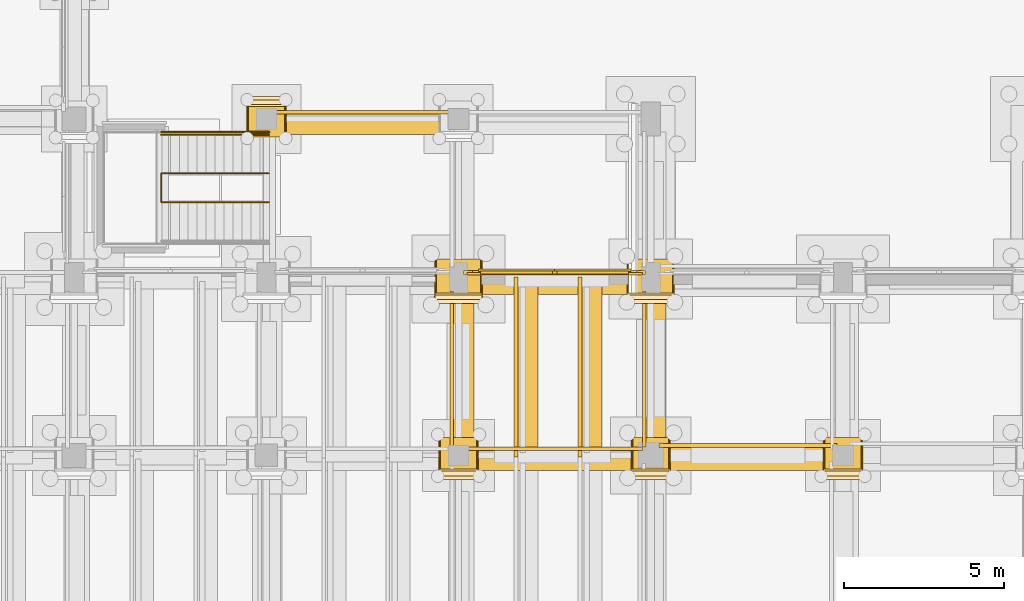
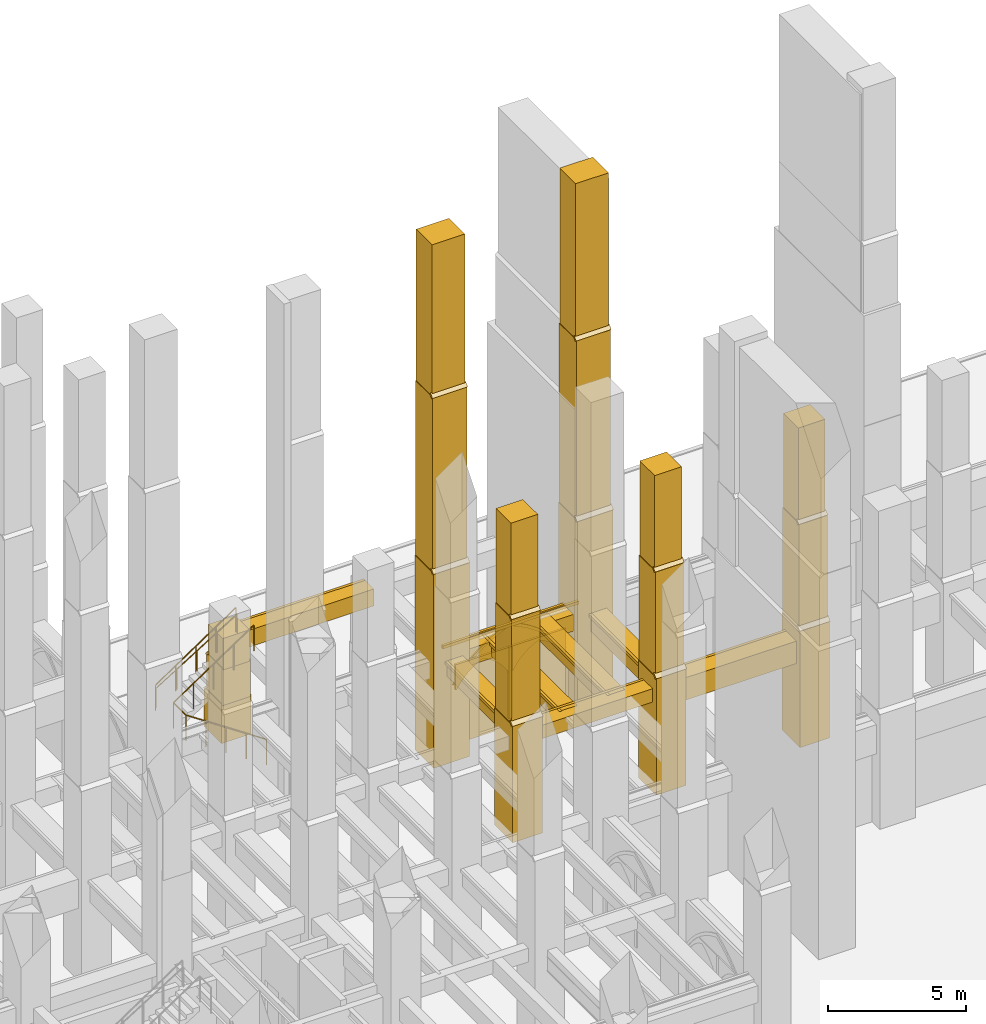
# One storey, part 114 of 135: 52 coverings, 3 railings.
"""IFC4 building model written with IfcOpenShell, lengths in metres."""

import ifcopenshell
import ifcopenshell.guid

model = None  # the IFC model being written
_history = None  # IfcOwnerHistory: only IFC2X3 demands one
_inside = {}  # id of a spatial element -> (the spatial element, [elements in it])
_under = {}  # id of a project, library or spatial element -> (it, [spatial elements below it])
_declared = {}  # id of a project -> (the project, [libraries it declares])
_typed = {}  # id of a type object -> (the type object, [elements of that type])
_made_of = {}  # id of a material, layer set ... -> (it, [elements and type objects made of it])


def new_model(schema):
    """Start an empty IFC model of exactly this schema.

    Asked for "IFC4X3", IfcOpenShell would pick the latest addendum, in which some entities
    have other attributes; the version numbers below select the first issue.
    IFC2X3 requires an IfcOwnerHistory on every rooted entity: one is made here for all.
    """
    global model, _history
    if schema == "IFC4X3":
        model = ifcopenshell.file(schema_version=(4, 3, 0, 0))
    else:
        model = ifcopenshell.file(schema=schema)
    _inside.clear()
    _under.clear()
    _declared.clear()
    _typed.clear()
    _made_of.clear()
    _history = None
    if model.schema == "IFC2X3":
        org = make("IfcOrganization", Name="unknown")
        user = make(
            "IfcPersonAndOrganization",
            ThePerson=make("IfcPerson", FamilyName="unknown"),
            TheOrganization=org,
        )
        app = make(
            "IfcApplication",
            ApplicationDeveloper=org,
            Version="unknown",
            ApplicationFullName="unknown",
            ApplicationIdentifier="unknown",
        )
        _history = make(
            "IfcOwnerHistory",
            OwningUser=user,
            OwningApplication=app,
            ChangeAction="ADDED",
            CreationDate=0,
        )
    return model


def make(cls, **values):
    """One entity of the class cls with the attributes given. An attribute that is None is left unset."""
    return model.create_entity(
        cls, **{name: value for name, value in values.items() if value is not None}
    )


def rooted(cls, **values):
    """An entity with a GlobalId (a new one), such as an element, a storey or a relation."""
    return make(cls, GlobalId=ifcopenshell.guid.new(), OwnerHistory=_history, **values)


def si_unit(unit_type, name, prefix=None):
    """IfcSIUnit, for example si_unit("LENGTHUNIT", "METRE", prefix="MILLI")."""
    return make("IfcSIUnit", UnitType=unit_type, Prefix=prefix, Name=name)


def assignment(units):
    """IfcUnitAssignment: the units of a project."""
    return None if units is None else make("IfcUnitAssignment", Units=units)


def point(xyz):
    """IfcCartesianPoint."""
    return None if xyz is None else make("IfcCartesianPoint", Coordinates=xyz)


def direction(xyz):
    """IfcDirection."""
    return None if xyz is None else make("IfcDirection", DirectionRatios=xyz)


def frame(location, z_axis=None, x_axis=None):
    """IfcAxis2Placement3D, a coordinate frame: its origin and axes. An axis left out is left unset."""
    return make(
        "IfcAxis2Placement3D",
        Location=point(location),
        Axis=direction(z_axis),
        RefDirection=direction(x_axis),
    )


def frame_2d(location, x_axis=None):
    """IfcAxis2Placement2D, a coordinate frame in the plane: its origin and x axis."""
    return make(
        "IfcAxis2Placement2D", Location=point(location), RefDirection=direction(x_axis)
    )


def origin():
    """The frame at (0, 0, 0) with its axes left unset."""
    return frame((0.0, 0.0, 0.0))


def origin_2d():
    """The frame at (0, 0) in the plane with its x axis left unset."""
    return frame_2d((0.0, 0.0))


def place(relative_to, where):
    """IfcLocalPlacement: puts the frame where relative to a parent placement (None: the world)."""
    return make(
        "IfcLocalPlacement", PlacementRelTo=relative_to, RelativePlacement=where
    )


def context(
    kind, dimensions, precision=None, world=None, true_north=None, identifier=None
):
    """IfcGeometricRepresentationContext, for example the 3D "Model" context."""
    return make(
        "IfcGeometricRepresentationContext",
        ContextIdentifier=identifier,
        ContextType=kind,
        CoordinateSpaceDimension=dimensions,
        Precision=precision,
        WorldCoordinateSystem=world,
        TrueNorth=true_north,
    )


def subcontext(parent, identifier, kind, view, scale=None):
    """IfcGeometricRepresentationSubContext, for example "Body" below "Model"."""
    return make(
        "IfcGeometricRepresentationSubContext",
        ContextIdentifier=identifier,
        ContextType=kind,
        ParentContext=parent,
        TargetScale=scale,
        TargetView=view,
    )


def project(units=None, contexts=None):
    """IfcProject with its units and contexts."""
    return rooted(
        "IfcProject",
        Name="project",
        RepresentationContexts=contexts,
        UnitsInContext=assignment(units),
    )


def spatial(cls, under=None, at=None, **own):
    """A site, building, storey or space (cls), placed at a placement, below another one or the project."""
    s = rooted(cls, ObjectPlacement=at, **own)
    if under is not None:
        _under.setdefault(under.id(), (under, []))[1].append(s)
    return s


def polyline(points):
    """IfcPolyline through the points."""
    return make("IfcPolyline", Points=[point(p) for p in points])


def profile(cls, at=None, kind="AREA", **sizes):
    """A parametric profile (cls). Its sizes go by their IFC names, for example OverallWidth=200.0."""
    return make(cls, ProfileType=kind, Position=at, **sizes)


def rectangle(**sizes):
    """IfcRectangleProfileDef."""
    return profile("IfcRectangleProfileDef", **sizes)


def circle(**sizes):
    """IfcCircleProfileDef."""
    return profile("IfcCircleProfileDef", **sizes)


def outline(outer, holes=None, kind="AREA"):
    """IfcArbitraryClosedProfileDef: a profile drawn as a closed curve; with holes, ...WithVoids."""
    if holes is None:
        return make("IfcArbitraryClosedProfileDef", ProfileType=kind, OuterCurve=outer)
    return make(
        "IfcArbitraryProfileDefWithVoids",
        ProfileType=kind,
        OuterCurve=outer,
        InnerCurves=holes,
    )


def extrude(swept, where, along, depth):
    """IfcExtrudedAreaSolid: the profile swept, set in the frame where, extruded along a direction by depth."""
    return make(
        "IfcExtrudedAreaSolid",
        SweptArea=swept,
        Position=where,
        ExtrudedDirection=direction(along),
        Depth=depth,
    )


def shape(context_of_items, identifier, shape_type, items):
    """IfcShapeRepresentation: the items that make up one representation, for example the "Body"."""
    return make(
        "IfcShapeRepresentation",
        ContextOfItems=context_of_items,
        RepresentationIdentifier=identifier,
        RepresentationType=shape_type,
        Items=items,
    )


def material(Name=None, Category=None):
    """IfcMaterial."""
    return make("IfcMaterial", Name=Name, Category=Category)


def made_of(thing, what):
    """Note that an element or type object is made of a material, layer set ...; save() writes the relation."""
    if what is not None:
        _made_of.setdefault(what.id(), (what, []))[1].append(thing)
    return thing


def type_object(cls, material=None, **own):
    """A type object (cls), such as IfcWallType, which elements share."""
    return made_of(rooted(cls, **own), material)


def element(
    cls,
    number,
    at=None,
    inside=None,
    cuts=None,
    type_object=None,
    material=None,
    context=None,
    identifier="Body",
    shape_type=None,
    held_by="IfcProductDefinitionShape",
    body=None,
    shapes=None,
    **own,
):
    """One element of the class cls, such as IfcWall. Its Tag is "e" and its number.

    at: its placement. inside: the storey or other place that contains it. cuts: it is an
    opening in that element (IfcRelVoidsElement). A single representation is given by context,
    identifier, shape_type and body (its items); several are given by shapes. held_by: the class
    of the entity that holds the representations. save() writes the other relations.
    """
    e = rooted(cls, Tag="e%d" % number, ObjectPlacement=at, **own)
    if body is not None:
        shapes = [shape(context, identifier, shape_type, body)]
    if shapes is not None:
        e.Representation = make(held_by, Representations=shapes)
    if inside is not None:
        _inside.setdefault(inside.id(), (inside, []))[1].append(e)
    if cuts is not None:
        rooted(
            "IfcRelVoidsElement", RelatingBuildingElement=cuts, RelatedOpeningElement=e
        )
    if type_object is not None:
        _typed.setdefault(type_object.id(), (type_object, []))[1].append(e)
    return made_of(e, material)


def aggregate(whole, parts):
    """IfcRelAggregates: a whole, such as a stair, and the parts it consists of."""
    return rooted("IfcRelAggregates", RelatingObject=whole, RelatedObjects=parts)


def save(model, path):
    """Write the relations noted so far, then the file.

    IfcRelAggregates (storeys below a building ...), IfcRelContainedInSpatialStructure (elements
    in a storey), IfcRelDefinesByType, IfcRelAssociatesMaterial and IfcRelDeclares: one each for
    every whole, place, type object, material and project.
    """
    for whole, parts in _under.values():
        aggregate(whole, parts)
    for where, things in _inside.values():
        rooted(
            "IfcRelContainedInSpatialStructure",
            RelatedElements=things,
            RelatingStructure=where,
        )
    for kind, things in _typed.values():
        rooted("IfcRelDefinesByType", RelatedObjects=things, RelatingType=kind)
    for what, things in _made_of.values():
        rooted("IfcRelAssociatesMaterial", RelatedObjects=things, RelatingMaterial=what)
    for by, libraries in _declared.values():
        rooted("IfcRelDeclares", RelatingContext=by, RelatedDefinitions=libraries)
    model.write(path)


model = new_model("IFC4")

# Units and contexts
model_context = context("Model", 3, precision=1e-05, world=origin(), true_north=direction((0.0, 1.0)))
body_context = subcontext(model_context, "Body", "Model", "MODEL_VIEW")
ifc_project = project(units=[si_unit("LENGTHUNIT", "METRE"), si_unit("AREAUNIT", "SQUARE_METRE"), si_unit("VOLUMEUNIT", "CUBIC_METRE"), si_unit("PLANEANGLEUNIT", "RADIAN"), si_unit("MASSUNIT", "GRAM", prefix="KILO")], contexts=[model_context])

# Site, building, storey
site_placement = place(None, origin())
site = spatial("IfcSite", under=ifc_project, at=site_placement, CompositionType="ELEMENT")
building_placement = place(site_placement, origin())
building = spatial("IfcBuilding", under=site, at=building_placement, Name="Cumevento Cable Car Station", CompositionType="ELEMENT")
storey_placement = place(building_placement, origin())
storey = spatial("IfcBuildingStorey", under=building, at=storey_placement, Name="L01", CompositionType="ELEMENT", Elevation=0.0)

# Railings
ifc_material_1 = material(Name="Painted Galvanised Architectural Steel", Category="steel")
railing_type_1 = type_object("IfcRailingType", Name="Stair Guardrail GR-S115", PredefinedType="GUARDRAIL", material=ifc_material_1)
railing_1_placement = place(storey_placement, frame((76.080078125, 58.89990234375, 0.0)))
element("IfcRailing", 1, at=railing_1_placement, inside=storey, type_object=railing_type_1, Name="Stair Well Inner Guardrail ST-17", PredefinedType="GUARDRAIL", context=body_context, shape_type="SweptSolid", body=[
    extrude(circle(Radius=0.02392578125, at=origin_2d()), frame((0.0, 0.0, 1.1259765625), z_axis=(-0.830915400975, 0.0, 0.556398774641), x_axis=(0.0, -1.0, 0.0)), (0.0, 0.0, 1.0), 4.0439453125),
    extrude(circle(Radius=0.02392578125, at=origin_2d()), frame((-3.360107421875, 0.0, 3.3759765625), z_axis=(0.0, 1.0, 0.0), x_axis=(-1.0, 0.0, 0.0)), (0.0, 0.0, 1.0), 0.900146484375),
    extrude(circle(Radius=0.02392578125, at=origin_2d()), frame((-3.360107421875, 0.900146484375, 3.3759765625), z_axis=(0.830915400975, 0.0, 0.556398774641), x_axis=(0.0, 1.0, 0.0)), (0.0, 0.0, 1.0), 4.0439453125),
    extrude(circle(Radius=0.02001953125, at=origin_2d()), origin(), (0.0, 0.0, 1.0), 1.101806640625),
    extrude(circle(Radius=0.02001953125, at=origin_2d()), frame((-0.840087890625, 0.0, 0.5625)), (0.0, 0.0, 1.0), 1.101806640625),
    extrude(circle(Radius=0.02001953125, at=origin_2d()), frame((-1.68017578125, 0.0, 1.125)), (0.0, 0.0, 1.0), 1.101806640625),
    extrude(circle(Radius=0.02001953125, at=origin_2d()), frame((-2.52001953125, 0.0, 1.6875)), (0.0, 0.0, 1.0), 1.101806640625),
    extrude(circle(Radius=0.02001953125, at=origin_2d()), frame((-3.360107421875, 0.0, 2.25)), (0.0, 0.0, 1.0), 1.101806640625),
    extrude(circle(Radius=0.02001953125, at=origin_2d()), frame((-3.360107421875, 0.900146484375, 2.25)), (0.0, 0.0, 1.0), 1.101806640625),
    extrude(circle(Radius=0.02001953125, at=origin_2d()), frame((-2.52001953125, 0.900146484375, 2.8125)), (0.0, 0.0, 1.0), 1.101806640625),
    extrude(circle(Radius=0.02001953125, at=origin_2d()), frame((-1.68017578125, 0.900146484375, 3.375)), (0.0, 0.0, 1.0), 1.101806640625),
    extrude(circle(Radius=0.02001953125, at=origin_2d()), frame((-0.840087890625, 0.900146484375, 3.9375)), (0.0, 0.0, 1.0), 1.101806640625),
    extrude(circle(Radius=0.02001953125, at=origin_2d()), frame((0.0, 0.900146484375, 4.5)), (0.0, 0.0, 1.0), 1.101806640625),
])
railing_2_placement = place(storey_placement, frame((72.719970703125, 61.090087890625, 2.25)))
element("IfcRailing", 2, at=railing_2_placement, inside=storey, type_object=railing_type_1, Name="Stair Outer Guardrail ST-17 F2", PredefinedType="GUARDRAIL", context=body_context, shape_type="SweptSolid", body=[
    extrude(circle(Radius=0.02392578125, at=origin_2d()), frame((0.0, 0.0, 1.1259765625), z_axis=(0.830915400975, 0.0, 0.556398774641), x_axis=(0.0, 1.0, 0.0)), (0.0, 0.0, 1.0), 4.0439453125),
    extrude(circle(Radius=0.02001953125, at=origin_2d()), origin(), (0.0, 0.0, 1.0), 1.101806640625),
    extrude(circle(Radius=0.02001953125, at=origin_2d()), frame((0.840087890625, 0.0, 0.5625)), (0.0, 0.0, 1.0), 1.101806640625),
    extrude(circle(Radius=0.02001953125, at=origin_2d()), frame((1.68017578125, 0.0, 1.125)), (0.0, 0.0, 1.0), 1.101806640625),
    extrude(circle(Radius=0.02001953125, at=origin_2d()), frame((2.52001953125, 0.0, 1.6875)), (0.0, 0.0, 1.0), 1.101806640625),
    extrude(circle(Radius=0.02001953125, at=origin_2d()), frame((3.360107421875, 0.0, 2.25)), (0.0, 0.0, 1.0), 1.101806640625),
])
ifc_material_2 = material(Name="Brushed Stainless Steel Handrail Tube", Category="steel")
railing_type_2 = type_object("IfcRailingType", Name="Stair Handrail HR-090", PredefinedType="HANDRAIL", material=ifc_material_2)
railing_3_placement = place(storey_placement, frame((72.719970703125, 61.010009765625, 2.42626953125)))
element("IfcRailing", 3, at=railing_3_placement, inside=storey, type_object=railing_type_2, Name="Stair Pitch Handrail ST-17 F2", PredefinedType="HANDRAIL", context=body_context, shape_type="SweptSolid", body=[
    extrude(circle(Radius=0.02099609375, at=origin_2d()), frame((0.0, 0.0, 0.87890625), z_axis=(0.850623216509, 0.0, 0.525775754039), x_axis=(0.0, 1.0, 0.0)), (0.0, 0.0, 1.0), 3.9501953125),
    extrude(circle(Radius=0.01611328125, at=origin_2d()), origin(), (0.0, 0.0, 1.0), 0.85791015625),
    extrude(circle(Radius=0.01611328125, at=origin_2d()), frame((0.840087890625, 0.0, 0.519287109375)), (0.0, 0.0, 1.0), 0.85791015625),
    extrude(circle(Radius=0.01611328125, at=origin_2d()), frame((1.68017578125, 0.0, 1.03857421875)), (0.0, 0.0, 1.0), 0.85791015625),
    extrude(circle(Radius=0.01611328125, at=origin_2d()), frame((2.52001953125, 0.0, 1.5576171875)), (0.0, 0.0, 1.0), 0.85791015625),
    extrude(circle(Radius=0.01611328125, at=origin_2d()), frame((3.360107421875, 0.0, 2.076904296875)), (0.0, 0.0, 1.0), 0.85791015625),
])

# Coverings
ifc_material_3 = material(Name="Gnaisse Facoidal Stone Ashlar 85 MPa", Category="masonry")
covering_type = type_object("IfcCoveringType", Name="Gnaisse Ashlar Cladding CV-CL01", PredefinedType="CLADDING", material=ifc_material_3)
covering_1_placement = place(storey_placement, frame((76.0, 61.56005859375, -0.06005859375), z_axis=(0.0, 0.0, 1.0), x_axis=(-1.0, 0.0, 0.0)))
element("IfcCovering", 4, at=covering_1_placement, inside=storey, type_object=covering_type, Name="Stepped Gothic Stone Buttress Tier 1 bt:76.0:61.5", PredefinedType="CLADDING", context=body_context, shape_type="SweptSolid", body=[
    extrude(rectangle(XDim=1.239990234375, YDim=1.239990234375, at=origin_2d()), origin(), (0.0, 0.0, 1.0), 1.755615234375),
])
covering_2_placement = place(storey_placement, frame((76.639892578125, 62.199951171875, 1.675537109375), z_axis=(0.0, 0.714474823669, 0.699661151089), x_axis=(-1.0, 0.0, 0.0)))
element("IfcCovering", 5, at=covering_2_placement, inside=storey, type_object=covering_type, Name="Gothic Buttress Sloped Stone Weathering 1 bt:76.0:61.5", PredefinedType="CLADDING", context=body_context, shape_type="SweptSolid", body=[
    extrude(outline(polyline([(0.0, 0.0), (1.27978515625, 0.0), (1.27978515625, 0.21424991728737658), (0.0, 0.21424991728737658), (0.0, 0.0)])), origin(), (0.0, 0.0, -1.0), 0.090087890625),
])
covering_3_placement = place(storey_placement, frame((76.0, 61.510009765625, 1.603271484375), z_axis=(0.0, 0.0, 1.0), x_axis=(-1.0, 0.0, 0.0)))
element("IfcCovering", 6, at=covering_3_placement, inside=storey, type_object=covering_type, Name="Stepped Gothic Stone Buttress Tier 2 bt:76.0:61.5", PredefinedType="CLADDING", context=body_context, shape_type="SweptSolid", body=[
    extrude(rectangle(XDim=1.179931640625, YDim=1.139892578125, at=origin_2d()), origin(), (0.0, 0.0, 1.0), 1.6630859375),
])
covering_4_placement = place(storey_placement, frame((76.610107421875, 62.10009765625, 3.246337890625), z_axis=(0.0, 0.715574205881, 0.698536724788), x_axis=(-1.0, 0.0, 0.0)))
element("IfcCovering", 7, at=covering_4_placement, inside=storey, type_object=covering_type, Name="Gothic Buttress Sloped Stone Weathering 2 bt:76.0:61.5", PredefinedType="CLADDING", context=body_context, shape_type="SweptSolid", body=[
    extrude(outline(polyline([(0.0, 0.0), (1.22021484375, 0.0), (1.22021484375, 0.2006146760464928), (0.0, 0.2006146760464928), (0.0, 0.0)])), origin(), (0.0, 0.0, -1.0), 0.090087890625),
])
covering_5_placement = place(storey_placement, frame((76.0, 61.465087890625, 3.173828125), z_axis=(0.0, 0.0, 1.0), x_axis=(-1.0, 0.0, 0.0)))
element("IfcCovering", 8, at=covering_5_placement, inside=storey, type_object=covering_type, Name="Stepped Gothic Stone Buttress Tier 3 bt:76.0:61.5", PredefinedType="CLADDING", context=body_context, shape_type="SweptSolid", body=[
    extrude(rectangle(XDim=1.1201171875, YDim=1.050048828125, at=origin_2d()), origin(), (0.0, 0.0, 1.0), 1.385986328125),
])
covering_6_placement = place(storey_placement, frame((82.0, 50.909912109375, -0.06005859375), z_axis=(0.0, 0.0, 1.0), x_axis=(1.0, 0.0, 0.0)))
element("IfcCovering", 9, at=covering_6_placement, inside=storey, type_object=covering_type, Name="Stepped Gothic Stone Buttress Tier 1 bt:82.0:51.0", PredefinedType="CLADDING", context=body_context, shape_type="SweptSolid", body=[
    extrude(rectangle(XDim=1.239990234375, YDim=1.300048828125, at=origin_2d()), origin(), (0.0, 0.0, 1.0), 5.175537109375),
])
covering_7_placement = place(storey_placement, frame((81.360107421875, 50.239990234375, 5.095703125), z_axis=(0.0, -0.711135781079, 0.703054692658), x_axis=(1.0, 0.0, 0.0)))
element("IfcCovering", 10, at=covering_7_placement, inside=storey, type_object=covering_type, Name="Gothic Buttress Sloped Stone Weathering 1 bt:82.0:51.0", PredefinedType="CLADDING", context=body_context, shape_type="SweptSolid", body=[
    extrude(outline(polyline([(0.0, 0.0), (1.27978515625, 0.0), (1.27978515625, 0.24169083397703695), (0.0, 0.24169083397703695), (0.0, 0.0)])), origin(), (0.0, 0.0, -1.0), 0.090087890625),
])
covering_8_placement = place(storey_placement, frame((82.0, 50.969970703125, 4.84326171875), z_axis=(0.0, 0.0, 1.0), x_axis=(1.0, 0.0, 0.0)))
element("IfcCovering", 11, at=covering_8_placement, inside=storey, type_object=covering_type, Name="Stepped Gothic Stone Buttress Tier 2 bt:82.0:51.0", PredefinedType="CLADDING", context=body_context, shape_type="SweptSolid", body=[
    extrude(rectangle(XDim=1.179931640625, YDim=1.179931640625, at=origin_2d()), origin(), (0.0, 0.0, 1.0), 4.9033203125),
])
covering_9_placement = place(storey_placement, frame((81.389892578125, 50.360107421875, 9.726318359375), z_axis=(0.0, -0.714474823669, 0.699661151089), x_axis=(1.0, 0.0, 0.0)))
element("IfcCovering", 12, at=covering_9_placement, inside=storey, type_object=covering_type, Name="Gothic Buttress Sloped Stone Weathering 2 bt:82.0:51.0", PredefinedType="CLADDING", context=body_context, shape_type="SweptSolid", body=[
    extrude(outline(polyline([(0.0, 0.0), (1.22021484375, 0.0), (1.22021484375, 0.21424991728737655), (0.0, 0.21424991728737655), (0.0, 0.0)])), origin(), (0.0, 0.0, -1.0), 0.090087890625),
])
covering_10_placement = place(storey_placement, frame((82.0, 51.02001953125, 9.47412109375), z_axis=(0.0, 0.0, 1.0), x_axis=(1.0, 0.0, 0.0)))
element("IfcCovering", 13, at=covering_10_placement, inside=storey, type_object=covering_type, Name="Stepped Gothic Stone Buttress Tier 3 bt:82.0:51.0", PredefinedType="CLADDING", context=body_context, shape_type="SweptSolid", body=[
    extrude(rectangle(XDim=1.1201171875, YDim=1.080078125, at=origin_2d()), origin(), (0.0, 0.0, 1.0), 4.426025390625),
])
covering_11_placement = place(storey_placement, frame((82.0, 56.4423828125, -0.06005859375), z_axis=(0.0, 0.0, 1.0), x_axis=(1.0, 0.0, 0.0)))
element("IfcCovering", 14, at=covering_11_placement, inside=storey, type_object=covering_type, Name="Stepped Gothic Stone Buttress Tier 1 bt:82.0:56.5", PredefinedType="CLADDING", context=body_context, shape_type="SweptSolid", body=[
    extrude(rectangle(XDim=1.489990234375, YDim=1.364990234375, at=origin_2d()), origin(), (0.0, 0.0, 1.0), 8.595703125),
])
covering_12_placement = place(storey_placement, frame((81.235107421875, 55.739990234375, 8.515625), z_axis=(0.0, -0.711135781079, 0.703054692658), x_axis=(1.0, 0.0, 0.0)))
element("IfcCovering", 15, at=covering_12_placement, inside=storey, type_object=covering_type, Name="Gothic Buttress Sloped Stone Weathering 1 bt:82.0:56.5", PredefinedType="CLADDING", context=body_context, shape_type="SweptSolid", body=[
    extrude(outline(polyline([(0.0, 0.0), (1.52978515625, 0.0), (1.52978515625, 0.24169083397703695), (0.0, 0.24169083397703695), (0.0, 0.0)])), origin(), (0.0, 0.0, -1.0), 0.090087890625),
])
covering_13_placement = place(storey_placement, frame((82.0, 56.50244140625, 8.0830078125), z_axis=(0.0, 0.0, 1.0), x_axis=(1.0, 0.0, 0.0)))
element("IfcCovering", 16, at=covering_13_placement, inside=storey, type_object=covering_type, Name="Stepped Gothic Stone Buttress Tier 2 bt:82.0:56.5", PredefinedType="CLADDING", context=body_context, shape_type="SweptSolid", body=[
    extrude(rectangle(XDim=1.429931640625, YDim=1.2451171875, at=origin_2d()), origin(), (0.0, 0.0, 1.0), 8.143310546875),
])
covering_14_placement = place(storey_placement, frame((81.264892578125, 55.860107421875, 16.206298828125), z_axis=(0.0, -0.714474823669, 0.699661151089), x_axis=(1.0, 0.0, 0.0)))
element("IfcCovering", 17, at=covering_14_placement, inside=storey, type_object=covering_type, Name="Gothic Buttress Sloped Stone Weathering 2 bt:82.0:56.5", PredefinedType="CLADDING", context=body_context, shape_type="SweptSolid", body=[
    extrude(outline(polyline([(0.0, 0.0), (1.47021484375, 0.0), (1.47021484375, 0.21424991728737658), (0.0, 0.21424991728737658), (0.0, 0.0)])), origin(), (0.0, 0.0, -1.0), 0.090087890625),
])
covering_15_placement = place(storey_placement, frame((82.0, 56.552490234375, 15.77392578125), z_axis=(0.0, 0.0, 1.0), x_axis=(1.0, 0.0, 0.0)))
element("IfcCovering", 18, at=covering_15_placement, inside=storey, type_object=covering_type, Name="Stepped Gothic Stone Buttress Tier 3 bt:82.0:56.5", PredefinedType="CLADDING", context=body_context, shape_type="SweptSolid", body=[
    extrude(rectangle(XDim=1.3701171875, YDim=1.14501953125, at=origin_2d()), origin(), (0.0, 0.0, 1.0), 7.1259765625),
])
covering_16_placement = place(storey_placement, frame((88.0, 50.909912109375, -0.06005859375), z_axis=(0.0, 0.0, 1.0), x_axis=(1.0, 0.0, 0.0)))
element("IfcCovering", 19, at=covering_16_placement, inside=storey, type_object=covering_type, Name="Stepped Gothic Stone Buttress Tier 1 bt:88.0:51.0", PredefinedType="CLADDING", context=body_context, shape_type="SweptSolid", body=[
    extrude(rectangle(XDim=1.239990234375, YDim=1.300048828125, at=origin_2d()), origin(), (0.0, 0.0, 1.0), 5.175537109375),
])
covering_17_placement = place(storey_placement, frame((87.360107421875, 50.239990234375, 5.095703125), z_axis=(0.0, -0.711135781079, 0.703054692658), x_axis=(1.0, 0.0, 0.0)))
element("IfcCovering", 20, at=covering_17_placement, inside=storey, type_object=covering_type, Name="Gothic Buttress Sloped Stone Weathering 1 bt:88.0:51.0", PredefinedType="CLADDING", context=body_context, shape_type="SweptSolid", body=[
    extrude(outline(polyline([(0.0, 0.0), (1.27978515625, 0.0), (1.27978515625, 0.24169083397703695), (0.0, 0.24169083397703695), (0.0, 0.0)])), origin(), (0.0, 0.0, -1.0), 0.090087890625),
])
covering_18_placement = place(storey_placement, frame((88.0, 50.969970703125, 4.84326171875), z_axis=(0.0, 0.0, 1.0), x_axis=(1.0, 0.0, 0.0)))
element("IfcCovering", 21, at=covering_18_placement, inside=storey, type_object=covering_type, Name="Stepped Gothic Stone Buttress Tier 2 bt:88.0:51.0", PredefinedType="CLADDING", context=body_context, shape_type="SweptSolid", body=[
    extrude(rectangle(XDim=1.179931640625, YDim=1.179931640625, at=origin_2d()), origin(), (0.0, 0.0, 1.0), 4.9033203125),
])
covering_19_placement = place(storey_placement, frame((87.389892578125, 50.360107421875, 9.726318359375), z_axis=(0.0, -0.714474823669, 0.699661151089), x_axis=(1.0, 0.0, 0.0)))
element("IfcCovering", 22, at=covering_19_placement, inside=storey, type_object=covering_type, Name="Gothic Buttress Sloped Stone Weathering 2 bt:88.0:51.0", PredefinedType="CLADDING", context=body_context, shape_type="SweptSolid", body=[
    extrude(outline(polyline([(0.0, 0.0), (1.22021484375, 0.0), (1.22021484375, 0.21424991728737655), (0.0, 0.21424991728737655), (0.0, 0.0)])), origin(), (0.0, 0.0, -1.0), 0.090087890625),
])
covering_20_placement = place(storey_placement, frame((88.0, 51.02001953125, 9.47412109375), z_axis=(0.0, 0.0, 1.0), x_axis=(1.0, 0.0, 0.0)))
element("IfcCovering", 23, at=covering_20_placement, inside=storey, type_object=covering_type, Name="Stepped Gothic Stone Buttress Tier 3 bt:88.0:51.0", PredefinedType="CLADDING", context=body_context, shape_type="SweptSolid", body=[
    extrude(rectangle(XDim=1.1201171875, YDim=1.080078125, at=origin_2d()), origin(), (0.0, 0.0, 1.0), 4.426025390625),
])
covering_21_placement = place(storey_placement, frame((88.0, 56.4423828125, -0.06005859375), z_axis=(0.0, 0.0, 1.0), x_axis=(1.0, 0.0, 0.0)))
element("IfcCovering", 24, at=covering_21_placement, inside=storey, type_object=covering_type, Name="Stepped Gothic Stone Buttress Tier 1 bt:88.0:56.5", PredefinedType="CLADDING", context=body_context, shape_type="SweptSolid", body=[
    extrude(rectangle(XDim=1.489990234375, YDim=1.364990234375, at=origin_2d()), origin(), (0.0, 0.0, 1.0), 8.823486328125),
])
covering_22_placement = place(storey_placement, frame((87.235107421875, 55.739990234375, 8.74365234375), z_axis=(0.0, -0.711135781079, 0.703054692658), x_axis=(1.0, 0.0, 0.0)))
element("IfcCovering", 25, at=covering_22_placement, inside=storey, type_object=covering_type, Name="Gothic Buttress Sloped Stone Weathering 1 bt:88.0:56.5", PredefinedType="CLADDING", context=body_context, shape_type="SweptSolid", body=[
    extrude(outline(polyline([(0.0, 0.0), (1.52978515625, 0.0), (1.52978515625, 0.24169083397703695), (0.0, 0.24169083397703695), (0.0, 0.0)])), origin(), (0.0, 0.0, -1.0), 0.090087890625),
])
covering_23_placement = place(storey_placement, frame((88.0, 56.50244140625, 8.29931640625), z_axis=(0.0, 0.0, 1.0), x_axis=(1.0, 0.0, 0.0)))
element("IfcCovering", 26, at=covering_23_placement, inside=storey, type_object=covering_type, Name="Stepped Gothic Stone Buttress Tier 2 bt:88.0:56.5", PredefinedType="CLADDING", context=body_context, shape_type="SweptSolid", body=[
    extrude(rectangle(XDim=1.429931640625, YDim=1.2451171875, at=origin_2d()), origin(), (0.0, 0.0, 1.0), 8.359130859375),
])
covering_24_placement = place(storey_placement, frame((87.264892578125, 55.860107421875, 16.638427734375), z_axis=(0.0, -0.714474823669, 0.699661151089), x_axis=(1.0, 0.0, 0.0)))
element("IfcCovering", 27, at=covering_24_placement, inside=storey, type_object=covering_type, Name="Gothic Buttress Sloped Stone Weathering 2 bt:88.0:56.5", PredefinedType="CLADDING", context=body_context, shape_type="SweptSolid", body=[
    extrude(outline(polyline([(0.0, 0.0), (1.47021484375, 0.0), (1.47021484375, 0.21424991728737658), (0.0, 0.21424991728737658), (0.0, 0.0)])), origin(), (0.0, 0.0, -1.0), 0.090087890625),
])
covering_25_placement = place(storey_placement, frame((88.0, 56.552490234375, 16.19384765625), z_axis=(0.0, 0.0, 1.0), x_axis=(1.0, 0.0, 0.0)))
element("IfcCovering", 28, at=covering_25_placement, inside=storey, type_object=covering_type, Name="Stepped Gothic Stone Buttress Tier 3 bt:88.0:56.5", PredefinedType="CLADDING", context=body_context, shape_type="SweptSolid", body=[
    extrude(rectangle(XDim=1.3701171875, YDim=1.14501953125, at=origin_2d()), origin(), (0.0, 0.0, 1.0), 7.305908203125),
])
covering_26_placement = place(storey_placement, frame((94.0, 50.909912109375, -0.06005859375), z_axis=(0.0, 0.0, 1.0), x_axis=(1.0, 0.0, 0.0)))
element("IfcCovering", 29, at=covering_26_placement, inside=storey, type_object=covering_type, Name="Stepped Gothic Stone Buttress Tier 1 bt:94.0:51.0", PredefinedType="CLADDING", context=body_context, shape_type="SweptSolid", body=[
    extrude(rectangle(XDim=1.239990234375, YDim=1.300048828125, at=origin_2d()), origin(), (0.0, 0.0, 1.0), 5.175537109375),
])
covering_27_placement = place(storey_placement, frame((93.360107421875, 50.239990234375, 5.095703125), z_axis=(0.0, -0.711135781079, 0.703054692658), x_axis=(1.0, 0.0, 0.0)))
element("IfcCovering", 30, at=covering_27_placement, inside=storey, type_object=covering_type, Name="Gothic Buttress Sloped Stone Weathering 1 bt:94.0:51.0", PredefinedType="CLADDING", context=body_context, shape_type="SweptSolid", body=[
    extrude(outline(polyline([(0.0, 0.0), (1.27978515625, 0.0), (1.27978515625, 0.24169083397703695), (0.0, 0.24169083397703695), (0.0, 0.0)])), origin(), (0.0, 0.0, -1.0), 0.090087890625),
])
covering_28_placement = place(storey_placement, frame((94.0, 50.969970703125, 4.84326171875), z_axis=(0.0, 0.0, 1.0), x_axis=(1.0, 0.0, 0.0)))
element("IfcCovering", 31, at=covering_28_placement, inside=storey, type_object=covering_type, Name="Stepped Gothic Stone Buttress Tier 2 bt:94.0:51.0", PredefinedType="CLADDING", context=body_context, shape_type="SweptSolid", body=[
    extrude(rectangle(XDim=1.179931640625, YDim=1.179931640625, at=origin_2d()), origin(), (0.0, 0.0, 1.0), 4.9033203125),
])
covering_29_placement = place(storey_placement, frame((93.389892578125, 50.360107421875, 9.726318359375), z_axis=(0.0, -0.714474823669, 0.699661151089), x_axis=(1.0, 0.0, 0.0)))
element("IfcCovering", 32, at=covering_29_placement, inside=storey, type_object=covering_type, Name="Gothic Buttress Sloped Stone Weathering 2 bt:94.0:51.0", PredefinedType="CLADDING", context=body_context, shape_type="SweptSolid", body=[
    extrude(outline(polyline([(0.0, 0.0), (1.22021484375, 0.0), (1.22021484375, 0.21424991728737655), (0.0, 0.21424991728737655), (0.0, 0.0)])), origin(), (0.0, 0.0, -1.0), 0.090087890625),
])
covering_30_placement = place(storey_placement, frame((94.0, 51.02001953125, 9.47412109375), z_axis=(0.0, 0.0, 1.0), x_axis=(1.0, 0.0, 0.0)))
element("IfcCovering", 33, at=covering_30_placement, inside=storey, type_object=covering_type, Name="Stepped Gothic Stone Buttress Tier 3 bt:94.0:51.0", PredefinedType="CLADDING", context=body_context, shape_type="SweptSolid", body=[
    extrude(rectangle(XDim=1.1201171875, YDim=1.080078125, at=origin_2d()), origin(), (0.0, 0.0, 1.0), 4.426025390625),
])
covering_31_placement = place(storey_placement, frame((84.96240234375, 50.850830078125, 3.89794921875), z_axis=(0.0, 0.0, 1.0), x_axis=(1.0, 0.0, 0.0)))
element("IfcCovering", 34, at=covering_31_placement, inside=storey, type_object=covering_type, Name="Gothic Stone Spandrel Stringcourse sc:0122", PredefinedType="CLADDING", context=body_context, shape_type="SweptSolid", body=[
    extrude(rectangle(XDim=5.514892578125, YDim=0.66162109375, at=origin_2d()), origin(), (0.0, 0.0, 1.0), 0.592041015625),
])
covering_32_placement = place(storey_placement, frame((84.96240234375, 51.208984375, 4.360107421875), z_axis=(0.0, 0.0, 1.0), x_axis=(1.0, 0.0, 0.0)))
element("IfcCovering", 35, at=covering_32_placement, inside=storey, type_object=covering_type, Name="Gothic Cornice Dripstone Lip sc:0122", PredefinedType="CLADDING", context=body_context, shape_type="SweptSolid", body=[
    extrude(rectangle(XDim=5.554931640625, YDim=0.114990234375, at=origin_2d()), origin(), (0.0, 0.0, 1.0), 0.1298828125),
])
covering_33_placement = place(storey_placement, frame((85.0, 56.35009765625, 3.7431640625), z_axis=(0.0, 0.0, 1.0), x_axis=(1.0, 0.0, 0.0)))
element("IfcCovering", 36, at=covering_33_placement, inside=storey, type_object=covering_type, Name="Gothic Stone Spandrel Stringcourse sc:0126", PredefinedType="CLADDING", context=body_context, shape_type="SweptSolid", body=[
    extrude(rectangle(XDim=5.639892578125, YDim=0.659912109375, at=origin_2d()), origin(), (0.0, 0.0, 1.0), 0.737060546875),
])
covering_34_placement = place(storey_placement, frame((85.0, 56.70751953125, 4.35009765625), z_axis=(0.0, 0.0, 1.0), x_axis=(1.0, 0.0, 0.0)))
element("IfcCovering", 37, at=covering_34_placement, inside=storey, type_object=covering_type, Name="Gothic Cornice Dripstone Lip sc:0126", PredefinedType="CLADDING", context=body_context, shape_type="SweptSolid", body=[
    extrude(rectangle(XDim=5.679931640625, YDim=0.114990234375, at=origin_2d()), origin(), (0.0, 0.0, 1.0), 0.1298828125),
])
covering_35_placement = place(storey_placement, frame((82.148681640625, 53.64990234375, 3.7958984375), z_axis=(0.0, 0.0, 1.0), x_axis=(0.0, 1.0, 0.0)))
element("IfcCovering", 38, at=covering_35_placement, inside=storey, type_object=covering_type, Name="Gothic Stone Spandrel Stringcourse sc:0132", PredefinedType="CLADDING", context=body_context, shape_type="SweptSolid", body=[
    extrude(rectangle(XDim=4.889892578125, YDim=0.66259765625, at=origin_2d()), origin(), (0.0, 0.0, 1.0), 0.694091796875),
])
covering_36_placement = place(storey_placement, frame((81.7900390625, 53.64990234375, 4.360107421875), z_axis=(0.0, 0.0, 1.0), x_axis=(0.0, 1.0, 0.0)))
element("IfcCovering", 39, at=covering_36_placement, inside=storey, type_object=covering_type, Name="Gothic Cornice Dripstone Lip sc:0132", PredefinedType="CLADDING", context=body_context, shape_type="SweptSolid", body=[
    extrude(rectangle(XDim=4.929931640625, YDim=0.114990234375, at=origin_2d()), origin(), (0.0, 0.0, 1.0), 0.1298828125),
])
covering_37_placement = place(storey_placement, frame((88.14990234375, 53.6875, 3.69287109375), z_axis=(0.0, 0.0, 1.0), x_axis=(0.0, 1.0, 0.0)))
element("IfcCovering", 40, at=covering_37_placement, inside=storey, type_object=covering_type, Name="Gothic Stone Spandrel Stringcourse sc:0134", PredefinedType="CLADDING", context=body_context, shape_type="SweptSolid", body=[
    extrude(rectangle(XDim=4.81494140625, YDim=0.659912109375, at=origin_2d()), origin(), (0.0, 0.0, 1.0), 0.797119140625),
])
covering_38_placement = place(storey_placement, frame((87.79248046875, 53.6875, 4.360107421875), z_axis=(0.0, 0.0, 1.0), x_axis=(0.0, 1.0, 0.0)))
element("IfcCovering", 41, at=covering_38_placement, inside=storey, type_object=covering_type, Name="Gothic Cornice Dripstone Lip sc:0134", PredefinedType="CLADDING", context=body_context, shape_type="SweptSolid", body=[
    extrude(rectangle(XDim=4.85498046875, YDim=0.114990234375, at=origin_2d()), origin(), (0.0, 0.0, 1.0), 0.1298828125),
])
covering_39_placement = place(storey_placement, frame((91.03759765625, 50.89990234375, 3.5), z_axis=(0.0, 0.0, 1.0), x_axis=(1.0, 0.0, 0.0)))
element("IfcCovering", 42, at=covering_39_placement, inside=storey, type_object=covering_type, Name="Gothic Stone Spandrel Stringcourse sc:0140", PredefinedType="CLADDING", context=body_context, shape_type="SweptSolid", body=[
    extrude(rectangle(XDim=5.514892578125, YDim=0.760009765625, at=origin_2d()), origin(), (0.0, 0.0, 1.0), 0.989990234375),
])
covering_40_placement = place(storey_placement, frame((91.03759765625, 51.3076171875, 4.360107421875), z_axis=(0.0, 0.0, 1.0), x_axis=(1.0, 0.0, 0.0)))
element("IfcCovering", 43, at=covering_40_placement, inside=storey, type_object=covering_type, Name="Gothic Cornice Dripstone Lip sc:0140", PredefinedType="CLADDING", context=body_context, shape_type="SweptSolid", body=[
    extrude(rectangle(XDim=5.554931640625, YDim=0.114990234375, at=origin_2d()), origin(), (0.0, 0.0, 1.0), 0.1298828125),
])
covering_41_placement = place(storey_placement, frame((84.14990234375, 53.75634765625, 3.8330078125), z_axis=(0.0, 0.0, 1.0), x_axis=(0.0, 1.0, 0.0)))
element("IfcCovering", 44, at=covering_41_placement, inside=storey, type_object=covering_type, Name="Gothic Stone Spandrel Stringcourse sc:0271", PredefinedType="CLADDING", context=body_context, shape_type="SweptSolid", body=[
    extrude(rectangle(XDim=5.573486328125, YDim=0.659912109375, at=origin_2d()), origin(), (0.0, 0.0, 1.0), 0.656982421875),
])
covering_42_placement = place(storey_placement, frame((83.79248046875, 53.75634765625, 4.360107421875), z_axis=(0.0, 0.0, 1.0), x_axis=(0.0, 1.0, 0.0)))
element("IfcCovering", 45, at=covering_42_placement, inside=storey, type_object=covering_type, Name="Gothic Cornice Dripstone Lip sc:0271", PredefinedType="CLADDING", context=body_context, shape_type="SweptSolid", body=[
    extrude(rectangle(XDim=5.613525390625, YDim=0.114990234375, at=origin_2d()), origin(), (0.0, 0.0, 1.0), 0.1298828125),
])
covering_43_placement = place(storey_placement, frame((86.14990234375, 53.75634765625, 3.8330078125), z_axis=(0.0, 0.0, 1.0), x_axis=(0.0, 1.0, 0.0)))
element("IfcCovering", 46, at=covering_43_placement, inside=storey, type_object=covering_type, Name="Gothic Stone Spandrel Stringcourse sc:0273", PredefinedType="CLADDING", context=body_context, shape_type="SweptSolid", body=[
    extrude(rectangle(XDim=5.573486328125, YDim=0.659912109375, at=origin_2d()), origin(), (0.0, 0.0, 1.0), 0.656982421875),
])
covering_44_placement = place(storey_placement, frame((85.79248046875, 53.75634765625, 4.360107421875), z_axis=(0.0, 0.0, 1.0), x_axis=(0.0, 1.0, 0.0)))
element("IfcCovering", 47, at=covering_44_placement, inside=storey, type_object=covering_type, Name="Gothic Cornice Dripstone Lip sc:0273", PredefinedType="CLADDING", context=body_context, shape_type="SweptSolid", body=[
    extrude(rectangle(XDim=5.613525390625, YDim=0.114990234375, at=origin_2d()), origin(), (0.0, 0.0, 1.0), 0.1298828125),
])
covering_45_placement = place(storey_placement, frame((79.0, 61.35009765625, 3.73291015625), z_axis=(0.0, 0.0, 1.0), x_axis=(1.0, 0.0, 0.0)))
element("IfcCovering", 48, at=covering_45_placement, inside=storey, type_object=covering_type, Name="Gothic Stone Spandrel Stringcourse sc:0843", PredefinedType="CLADDING", context=body_context, shape_type="SweptSolid", body=[
    extrude(rectangle(XDim=5.590087890625, YDim=0.659912109375, at=origin_2d()), origin(), (0.0, 0.0, 1.0), 0.7470703125),
])
covering_46_placement = place(storey_placement, frame((79.0, 61.70751953125, 4.35009765625), z_axis=(0.0, 0.0, 1.0), x_axis=(1.0, 0.0, 0.0)))
element("IfcCovering", 49, at=covering_46_placement, inside=storey, type_object=covering_type, Name="Gothic Cornice Dripstone Lip sc:0843", PredefinedType="CLADDING", context=body_context, shape_type="SweptSolid", body=[
    extrude(rectangle(XDim=5.6298828125, YDim=0.114990234375, at=origin_2d()), origin(), (0.0, 0.0, 1.0), 0.1298828125),
])
covering_47_placement = place(storey_placement, frame((82.300048828125, 56.5, 0.0), z_axis=(0.0, 0.0, 1.0), x_axis=(1.0, 0.0, 0.0)))
element("IfcCovering", 50, at=covering_47_placement, inside=storey, type_object=covering_type, Name="Exterior Gnaisse Stone Wall Ashlar #36", PredefinedType="CLADDING", context=body_context, shape_type="SweptSolid", body=[
    extrude(outline(polyline([(-0.0400390625, -0.02001953125), (5.43994140625, -0.02001953125), (5.43994140625, 4.52001953125), (-0.0400390625, 4.52001953125), (-0.0400390625, -0.02001953125)])), frame((0.0, 0.215087890625, 0.0), z_axis=(0.0, -1.0, 0.0), x_axis=(1.0, 0.0, 0.0)), (0.0, 0.0, 1.0), 0.0849609375),
])
placement = place(storey_placement, frame((82.47998046875, 56.5, 0.300048828125), z_axis=(0.0, 0.0, 1.0), x_axis=(1.0, 0.0, 0.0)))
element("IfcCovering", 51, at=placement, inside=storey, type_object=covering_type, Name="Gothic Ogival Pointed-Arch Stone Spandrel blind_ogival:0036", PredefinedType="CLADDING", context=body_context, shape_type="SweptSolid", body=[
    extrude(outline(polyline([(-0.050048828125, 0.0), (-0.050048828125, 4.239990234375), (5.090087890625, 4.239990234375), (5.090087890625, 0.0), (4.780029296875, 0.0), (4.780029296875, 2.219970703125), (4.531982421875, 2.55810546875), (4.255126953125, 2.872802734375), (3.951416015625, 3.161865234375), (3.62353515625, 3.423095703125), (3.273681640625, 3.654296875), (2.905029296875, 3.853759765625), (2.52001953125, 4.02001953125), (2.135009765625, 3.853759765625), (1.766357421875, 3.654296875), (1.41650390625, 3.423095703125), (1.088623046875, 3.161865234375), (0.784912109375, 2.872802734375), (0.508056640625, 2.55810546875), (0.260009765625, 2.219970703125), (0.260009765625, 0.0), (-0.050048828125, 0.0)])), frame((0.0, 0.27001953125, 0.0), z_axis=(0.0, -1.0, 0.0), x_axis=(1.0, 0.0, 0.0)), (0.0, 0.0, 1.0), 0.110107421875),
])
covering_49_placement = place(storey_placement, frame((82.47998046875, 56.5, 2.52001953125), z_axis=(0.0, 0.0, 1.0), x_axis=(1.0, 0.0, 0.0)))
element("IfcCovering", 52, at=covering_49_placement, inside=storey, type_object=covering_type, Name="Gothic Pointed Archivolt Hood Moulding blind_ogival:0036", PredefinedType="CLADDING", context=body_context, shape_type="SweptSolid", body=[
    extrude(outline(polyline([(0.260009765625, 0.0), (0.508056640625, 0.338134765625), (0.784912109375, 0.65283203125), (1.088623046875, 0.94189453125), (1.41650390625, 1.203125), (1.766357421875, 1.434326171875), (2.135009765625, 1.6337890625), (2.52001953125, 1.800048828125), (2.905029296875, 1.6337890625), (3.273681640625, 1.434326171875), (3.62353515625, 1.203125), (3.951416015625, 0.94189453125), (4.255126953125, 0.65283203125), (4.531982421875, 0.338134765625), (4.780029296875, 0.0), (4.90087890625, 0.0), (4.6435546875, 0.365478515625), (4.354248046875, 0.706298828125), (4.03564453125, 1.01953125), (3.689697265625, 1.302978515625), (3.31982421875, 1.553955078125), (2.928955078125, 1.770751953125), (2.52001953125, 1.951171875), (2.111083984375, 1.770751953125), (1.72021484375, 1.553955078125), (1.350341796875, 1.302978515625), (1.00439453125, 1.01953125), (0.685791015625, 0.706298828125), (0.396484375, 0.365478515625), (0.138916015625, 0.0), (0.260009765625, 0.0)])), frame((0.0, 0.31201171875, 0.0), z_axis=(0.0, -1.0, 0.0), x_axis=(1.0, 0.0, 0.0)), (0.0, 0.0, 1.0), 0.06689453125),
])
element("IfcCovering", 53, at=placement, inside=storey, type_object=covering_type, Name="Gothic Bifora Stone Colonnette blind_ogival:0036 #1", PredefinedType="CLADDING", context=body_context, shape_type="SweptSolid", body=[
    extrude(outline(polyline([(2.445068359375, -0.02001953125), (2.594970703125, -0.02001953125), (2.594970703125, 3.156005859375), (2.445068359375, 3.156005859375), (2.445068359375, -0.02001953125)])), frame((0.0, 0.258056640625, 0.0), z_axis=(0.0, -1.0, 0.0), x_axis=(1.0, 0.0, 0.0)), (0.0, 0.0, 1.0), 0.094970703125),
])
for number, where, z_axis, x_axis, name in (
    (54, (82.7099609375, 56.5, 2.340087890625), (0.0, 0.0, 1.0), (1.0, 0.0, 0.0), "Gothic Ogival Pointed-Arch Stone Spandrel blind_ogival:0036:sub:0"),
    (55, (85.044921875, 56.5, 2.340087890625), (0.0, 0.0, 1.0), (1.0, 0.0, 0.0), "Gothic Ogival Pointed-Arch Stone Spandrel blind_ogival:0036:sub:1"),
):
    element("IfcCovering", number, at=place(storey_placement, frame(where, z_axis=z_axis, x_axis=x_axis)), inside=storey, type_object=covering_type, Name=name, PredefinedType="CLADDING", context=body_context, shape_type="SweptSolid", body=[
        extrude(outline(polyline([(-0.02001953125, 0.0), (-0.02001953125, 1.115966796875), (2.264892578125, 1.115966796875), (2.264892578125, 0.0), (2.205078125, 0.0), (2.076171875, 0.214111328125), (1.923828125, 0.412109375), (1.75, 0.591552734375), (1.556640625, 0.75), (1.3466796875, 0.88525390625), (1.12255859375, 0.99609375), (0.8984375, 0.88525390625), (0.6884765625, 0.75), (0.4951171875, 0.591552734375), (0.3212890625, 0.412109375), (0.1689453125, 0.214111328125), (0.0400390625, 0.0), (-0.02001953125, 0.0)])), frame((0.0, 0.25390625, 0.0), z_axis=(0.0, -1.0, 0.0), x_axis=(1.0, 0.0, 0.0)), (0.0, 0.0, 1.0), 0.090087890625),
    ])

save(model, "model.ifc")
